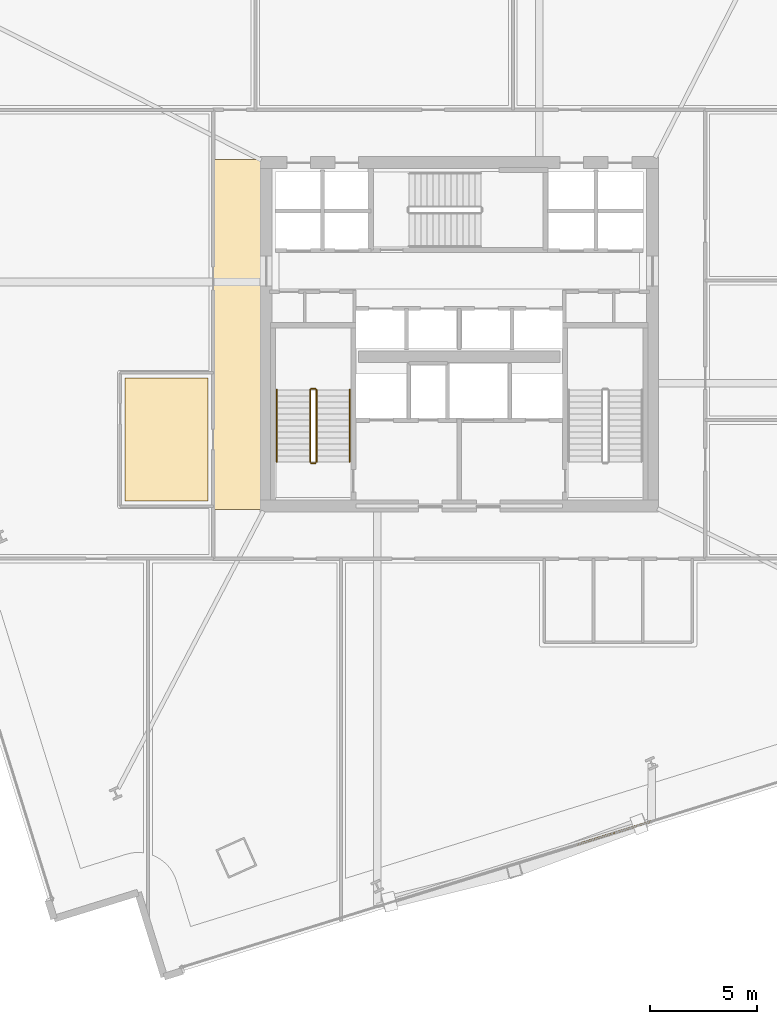
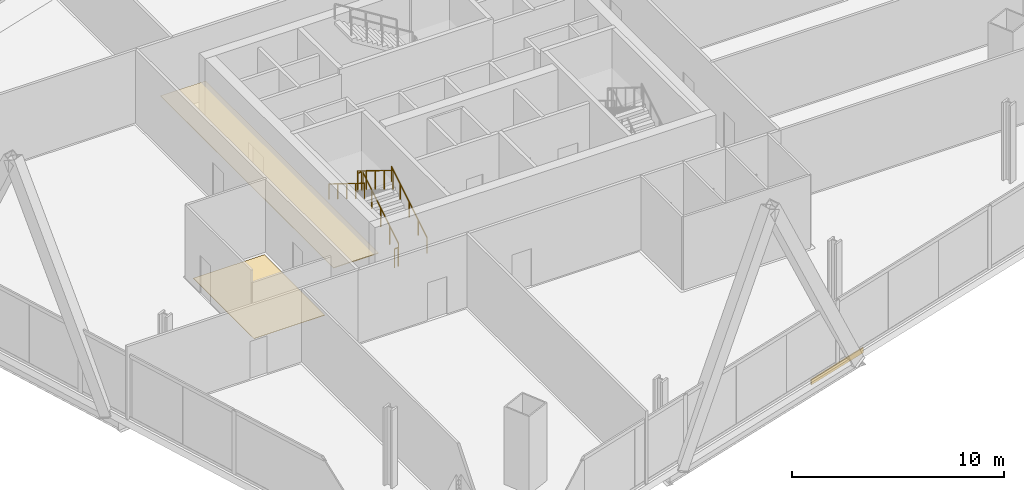
# One storey, part 21 of 26: 6 railings, 3 coverings.
"""IFC4 building model written with IfcOpenShell, lengths in metres."""

from ifc_helpers import new_model, si_unit, direction, frame, origin, origin_2d, place, context, subcontext, project, spatial, polyline, rectangle, outline, extrude, source, transform, mapped, material, layer, layer_set, type_object, element, save


model = new_model("IFC4")

# Units and contexts
model_context = context("Model", 3, precision=1e-05, world=origin(), true_north=direction((0.0, 1.0)))
body_context = subcontext(model_context, "Body", "Model", "MODEL_VIEW")
ifc_project = project(units=[si_unit("LENGTHUNIT", "METRE"), si_unit("AREAUNIT", "SQUARE_METRE"), si_unit("VOLUMEUNIT", "CUBIC_METRE"), si_unit("PLANEANGLEUNIT", "RADIAN"), si_unit("MASSUNIT", "GRAM", prefix="KILO")], contexts=[model_context])

# Site, building, storey
site_placement = place(None, origin())
site = spatial("IfcSite", under=ifc_project, at=site_placement, CompositionType="ELEMENT")
building_placement = place(site_placement, origin())
building = spatial("IfcBuilding", under=site, at=building_placement, Name="Haldenkirk Collegiate Tower", CompositionType="ELEMENT")
storey_placement = place(building_placement, frame((0.0, 0.0, 85.949951171875)))
storey = spatial("IfcBuildingStorey", under=building, at=storey_placement, Name="L20", CompositionType="ELEMENT", Elevation=85.949951171875)

# Coverings
ifc_material_1 = material(Name="Suspended mineral-fibre acoustic tile", Category="concrete")
ifc_layer_1 = layer(ifc_material_1, 0.0400390625)
ifc_layer_set_1 = layer_set([ifc_layer_1], Name="Suspended mineral-fibre acoustic tile")
covering_type_1 = type_object("IfcCoveringType", Name="COV-CEIL-ACOUSTIC", PredefinedType="CEILING", material=ifc_layer_set_1)
covering_1_placement = place(storey_placement, frame((0.0, 0.0, 2.85009765625)))
element("IfcCovering", 1, at=covering_1_placement, inside=storey, type_object=covering_type_1, Name="L20 acoustic suspended ceiling CLG-L20-COR", PredefinedType="CEILING", context=body_context, shape_type="SweptSolid", body=[
    extrude(outline(polyline([(24.550048828125, 17.85009765625), (27.0, 17.85009765625), (27.0, 34.14990234375), (24.550048828125, 34.14990234375), (24.550048828125, 17.85009765625)])), origin(), (0.0, 0.0, 1.0), 0.0400390625),
])
ifc_material_2 = material(Name="Engineered collegiate oak acoustic flooring", Category="wood")
ifc_layer_2 = layer(ifc_material_2, 0.02197265625)
ifc_layer_set_2 = layer_set([ifc_layer_2], Name="Engineered collegiate oak acoustic flooring")
covering_type_2 = type_object("IfcCoveringType", Name="COV-FLOOR-TIMBER", PredefinedType="FLOORING", material=ifc_layer_set_2)
covering_2_placement = place(storey_placement, origin())
element("IfcCovering", 2, at=covering_2_placement, inside=storey, type_object=covering_type_2, Name="L20 academic room finish 01", PredefinedType="FLOORING", context=body_context, shape_type="SweptSolid", body=[
    extrude(outline(polyline([(20.43994140625, 18.239990234375), (20.43994140625, 23.9599609375), (24.300048828125, 23.9599609375), (24.300048828125, 18.239990234375), (20.43994140625, 18.239990234375)])), origin(), (0.0, 0.0, 1.0), 0.02197265625),
])

# Railings
ifc_material_3 = material(Name="Painted architectural tubular steel", Category="steel")
railing_type_1 = type_object("IfcRailingType", Name="RLG-STAIR-GUARD-1100", PredefinedType="BALUSTRADE", material=ifc_material_3)
railing_1_placement = place(storey_placement, frame((29.35009765625, 20.050048828125, 0.173095703125)))
element("IfcRailing", 3, at=railing_1_placement, inside=storey, type_object=railing_type_1, Name="L20 ST-1 stair guard 1", PredefinedType="BALUSTRADE", context=body_context, shape_type="SweptSolid", body=[
    extrude(rectangle(XDim=0.048095703125, YDim=0.048095703125, at=origin_2d()), frame((0.0, 0.0, 1.076171875), z_axis=(0.0, 0.850606129759, 0.525803396734), x_axis=(-1.0, 0.0, 0.0)), (0.0, 0.0, 1.0), 3.949951171875),
    extrude(rectangle(XDim=0.0419921875, YDim=0.0419921875, at=origin_2d()), origin(), (0.0, 0.0, 1.0), 1.052001953125),
    extrude(rectangle(XDim=0.0419921875, YDim=0.0419921875, at=origin_2d()), frame((0.0, 0.83984375, 0.519287109375)), (0.0, 0.0, 1.0), 1.052001953125),
    extrude(rectangle(XDim=0.0419921875, YDim=0.0419921875, at=origin_2d()), frame((0.0, 1.679931640625, 1.03857421875)), (0.0, 0.0, 1.0), 1.052001953125),
    extrude(rectangle(XDim=0.0419921875, YDim=0.0419921875, at=origin_2d()), frame((0.0, 2.52001953125, 1.5576171875)), (0.0, 0.0, 1.0), 1.052001953125),
    extrude(rectangle(XDim=0.0419921875, YDim=0.0419921875, at=origin_2d()), frame((0.0, 3.35986328125, 2.076904296875)), (0.0, 0.0, 1.0), 1.052001953125),
])
railing_2_placement = place(storey_placement, frame((29.300048828125, 23.4599609375, 2.25)))
element("IfcRailing", 4, at=railing_2_placement, inside=storey, type_object=railing_type_1, Name="L20 ST-1 stair guard 2", PredefinedType="BALUSTRADE", context=body_context, shape_type="SweptSolid", body=[
    extrude(rectangle(XDim=0.048095703125, YDim=0.048095703125, at=origin_2d()), frame((0.0, 0.0, 1.076171875), z_axis=(-1.0, 0.0, 0.0), x_axis=(0.0, -1.0, 0.0)), (0.0, 0.0, 1.0), 0.199951171875),
    extrude(rectangle(XDim=0.0419921875, YDim=0.0419921875, at=origin_2d()), origin(), (0.0, 0.0, 1.0), 1.052001953125),
    extrude(rectangle(XDim=0.0419921875, YDim=0.0419921875, at=origin_2d()), frame((-0.199951171875, 0.0, 0.0)), (0.0, 0.0, 1.0), 1.052001953125),
])
railing_3_placement = place(storey_placement, frame((29.050048828125, 23.409912109375, 2.423095703125)))
element("IfcRailing", 5, at=railing_3_placement, inside=storey, type_object=railing_type_1, Name="L20 ST-1 stair guard 3", PredefinedType="BALUSTRADE", context=body_context, shape_type="SweptSolid", body=[
    extrude(rectangle(XDim=0.048095703125, YDim=0.048095703125, at=origin_2d()), frame((0.0, 0.0, 1.076171875), z_axis=(0.0, -0.850606129759, 0.525803396734), x_axis=(1.0, 0.0, 0.0)), (0.0, 0.0, 1.0), 3.949951171875),
    extrude(rectangle(XDim=0.0419921875, YDim=0.0419921875, at=origin_2d()), origin(), (0.0, 0.0, 1.0), 1.052001953125),
    extrude(rectangle(XDim=0.0419921875, YDim=0.0419921875, at=origin_2d()), frame((0.0, -0.83984375, 0.519287109375)), (0.0, 0.0, 1.0), 1.052001953125),
    extrude(rectangle(XDim=0.0419921875, YDim=0.0419921875, at=origin_2d()), frame((0.0, -1.679931640625, 1.03857421875)), (0.0, 0.0, 1.0), 1.052001953125),
    extrude(rectangle(XDim=0.0419921875, YDim=0.0419921875, at=origin_2d()), frame((0.0, -2.52001953125, 1.5576171875)), (0.0, 0.0, 1.0), 1.052001953125),
    extrude(rectangle(XDim=0.0419921875, YDim=0.0419921875, at=origin_2d()), frame((0.0, -3.35986328125, 2.076904296875)), (0.0, 0.0, 1.0), 1.052001953125),
])
railing_4_placement = place(storey_placement, frame((29.300048828125, 20.0, 0.0)))
element("IfcRailing", 6, at=railing_4_placement, inside=storey, type_object=railing_type_1, Name="L20 ST-1 stair guard 4", PredefinedType="BALUSTRADE", context=body_context, shape_type="SweptSolid", body=[
    extrude(rectangle(XDim=0.048095703125, YDim=0.048095703125, at=origin_2d()), frame((0.0, 0.0, 1.076171875), z_axis=(-1.0, 0.0, 0.0), x_axis=(0.0, -1.0, 0.0)), (0.0, 0.0, 1.0), 0.199951171875),
    extrude(rectangle(XDim=0.0419921875, YDim=0.0419921875, at=origin_2d()), origin(), (0.0, 0.0, 1.0), 1.052001953125),
    extrude(rectangle(XDim=0.0419921875, YDim=0.0419921875, at=origin_2d()), frame((-0.199951171875, 0.0, 0.0)), (0.0, 0.0, 1.0), 1.052001953125),
])
railing_type_2 = type_object("IfcRailingType", Name="RLG-STAIR-HANDRAIL-900", PredefinedType="HANDRAIL", material=ifc_material_3)
railing_5_placement = place(storey_placement, frame((30.89990234375, 20.050048828125, 0.173095703125)))
element("IfcRailing", 7, at=railing_5_placement, inside=storey, type_object=railing_type_2, Name="L20 ST-1 stair handrail 1", PredefinedType="HANDRAIL", context=body_context, shape_type="SweptSolid", body=[
    extrude(rectangle(XDim=0.048095703125, YDim=0.048095703125, at=origin_2d()), frame((0.0, 0.0, 0.8759765625), z_axis=(0.0, 0.850606129759, 0.525803396734), x_axis=(-1.0, 0.0, 0.0)), (0.0, 0.0, 1.0), 3.949951171875),
    extrude(rectangle(XDim=0.0419921875, YDim=0.0419921875, at=origin_2d()), origin(), (0.0, 0.0, 1.0), 0.851806640625),
    extrude(rectangle(XDim=0.0419921875, YDim=0.0419921875, at=origin_2d()), frame((0.0, 0.83984375, 0.519287109375)), (0.0, 0.0, 1.0), 0.851806640625),
    extrude(rectangle(XDim=0.0419921875, YDim=0.0419921875, at=origin_2d()), frame((0.0, 1.679931640625, 1.03857421875)), (0.0, 0.0, 1.0), 0.851806640625),
    extrude(rectangle(XDim=0.0419921875, YDim=0.0419921875, at=origin_2d()), frame((0.0, 2.52001953125, 1.5576171875)), (0.0, 0.0, 1.0), 0.851806640625),
    extrude(rectangle(XDim=0.0419921875, YDim=0.0419921875, at=origin_2d()), frame((0.0, 3.35986328125, 2.076904296875)), (0.0, 0.0, 1.0), 0.851806640625),
])
railing_6_placement = place(storey_placement, frame((27.5, 23.409912109375, 2.423095703125)))
element("IfcRailing", 8, at=railing_6_placement, inside=storey, type_object=railing_type_2, Name="L20 ST-1 stair handrail 2", PredefinedType="HANDRAIL", context=body_context, shape_type="SweptSolid", body=[
    extrude(rectangle(XDim=0.048095703125, YDim=0.048095703125, at=origin_2d()), frame((0.0, 0.0, 0.8759765625), z_axis=(0.0, -0.850606129759, 0.525803396734), x_axis=(1.0, 0.0, 0.0)), (0.0, 0.0, 1.0), 3.949951171875),
    extrude(rectangle(XDim=0.0419921875, YDim=0.0419921875, at=origin_2d()), origin(), (0.0, 0.0, 1.0), 0.851806640625),
    extrude(rectangle(XDim=0.0419921875, YDim=0.0419921875, at=origin_2d()), frame((0.0, -0.83984375, 0.519287109375)), (0.0, 0.0, 1.0), 0.851806640625),
    extrude(rectangle(XDim=0.0419921875, YDim=0.0419921875, at=origin_2d()), frame((0.0, -1.679931640625, 1.03857421875)), (0.0, 0.0, 1.0), 0.851806640625),
    extrude(rectangle(XDim=0.0419921875, YDim=0.0419921875, at=origin_2d()), frame((0.0, -2.52001953125, 1.5576171875)), (0.0, 0.0, 1.0), 0.851806640625),
    extrude(rectangle(XDim=0.0419921875, YDim=0.0419921875, at=origin_2d()), frame((0.0, -3.35986328125, 2.076904296875)), (0.0, 0.0, 1.0), 0.851806640625),
])

# Covering
ifc_material_4 = material(Name="Anodised architectural bronze aluminium", Category="aluminium")
ifc_layer_3 = layer(ifc_material_4, 0.06005859375)
ifc_layer_set_3 = layer_set([ifc_layer_3], Name="Anodised architectural bronze aluminium")
covering_type_3 = type_object("IfcCoveringType", Name="COV-CLAD-BRONZE-60", PredefinedType="CLADDING", material=ifc_layer_set_3)
shared_shape = source(origin(), body_context, "Body", "SweptSolid", [
    extrude(rectangle(XDim=3.60009765625, YDim=0.06005859375, at=origin_2d()), origin(), (0.0, 0.0, 1.0), 0.300048828125),
])
covering_3_placement = place(storey_placement, frame((43.2119140625, 2.77392578125, -0.2998046875), z_axis=(0.0, 0.0, 1.0), x_axis=(-0.955019944457, -0.296541574976, 0.0)))
element("IfcCovering", 9, at=covering_3_placement, inside=storey, type_object=covering_type_3, Name="L20 architectural bronze spandrel cladding S", PredefinedType="CLADDING", context=body_context, shape_type="MappedRepresentation", body=[
    mapped(shared_shape, transform((0.0, 0.0, 0.0), x_axis=(1.0, 0.0, 0.0), y_axis=(0.0, 1.0, 0.0), z_axis=(0.0, 0.0, 1.0), scale=1.0)),
])

save(model, "model.ifc")
